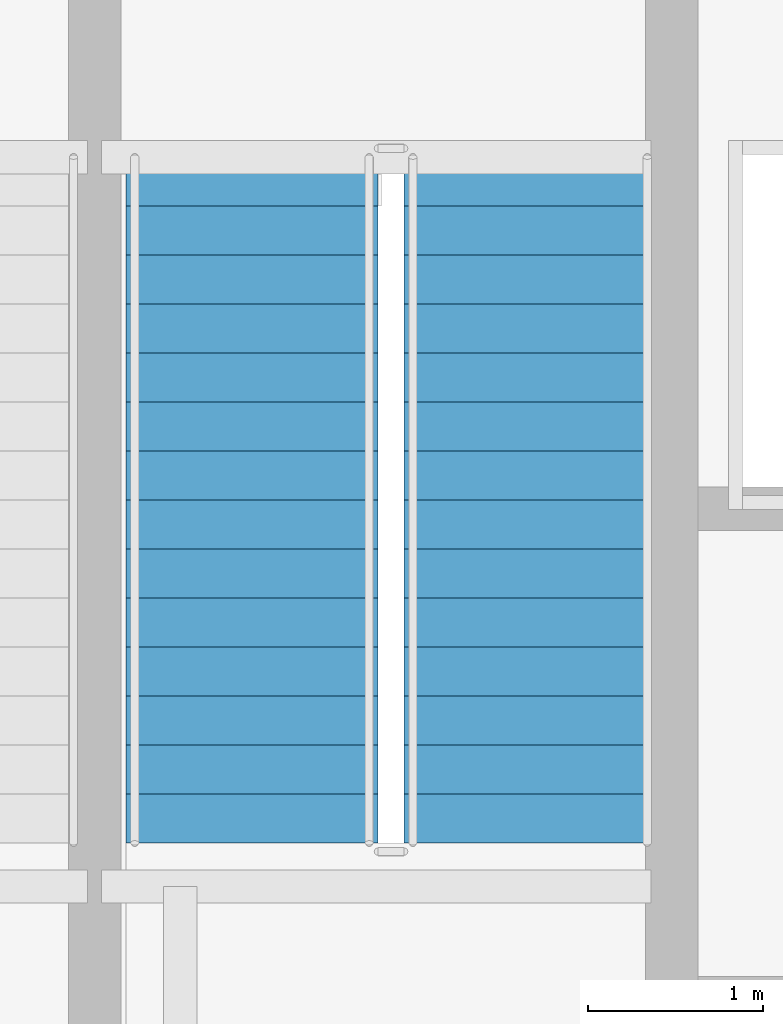
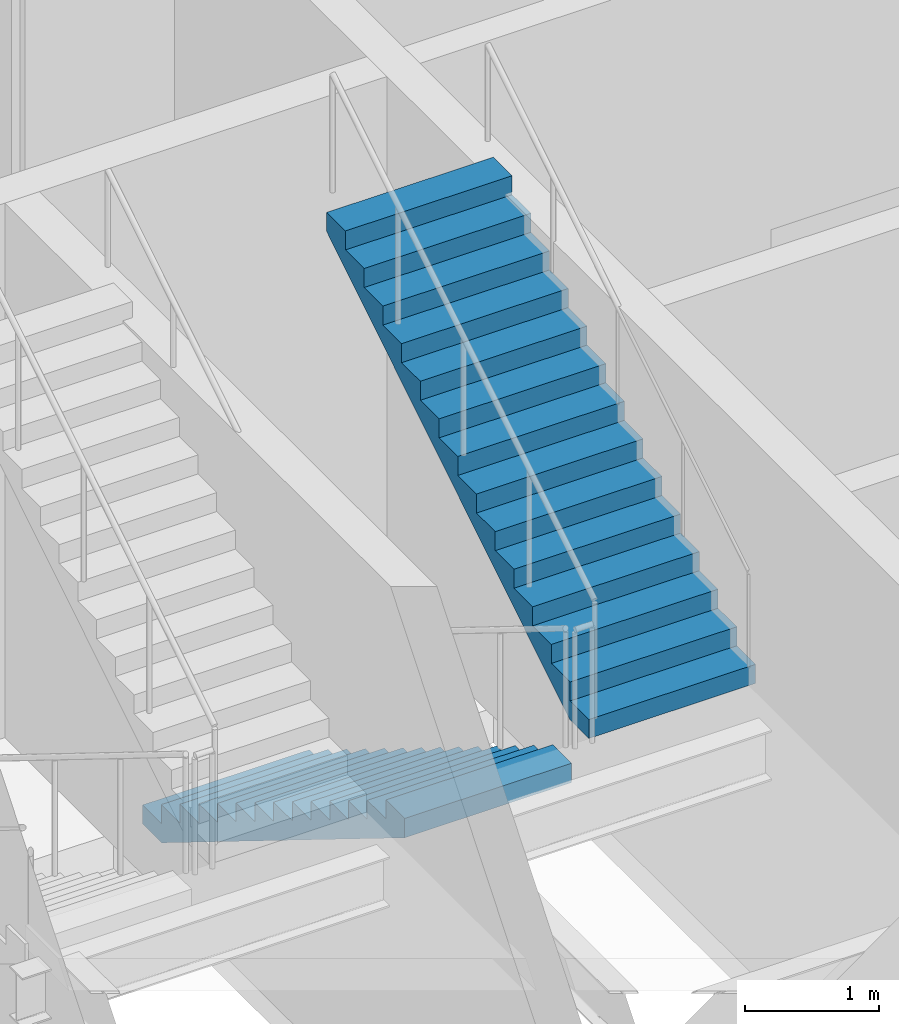
# One storey, part 25 of 33: 2 stair flights, 1 element without a shape of its own.
"""IFC4 building model written with IfcOpenShell, lengths in metres."""

from ifc_helpers import new_model, si_unit, direction, frame, origin, place, context, subcontext, project, spatial, polyline, outline, extrude, material, layer, layer_set, type_object, element, aggregate, save


model = new_model("IFC4")

# Units and contexts
model_context = context("Model", 3, precision=1e-05, world=origin(), true_north=direction((0.0, 1.0)))
body_context = subcontext(model_context, "Body", "Model", "MODEL_VIEW")
ifc_project = project(units=[si_unit("LENGTHUNIT", "METRE"), si_unit("AREAUNIT", "SQUARE_METRE"), si_unit("VOLUMEUNIT", "CUBIC_METRE"), si_unit("PLANEANGLEUNIT", "RADIAN"), si_unit("MASSUNIT", "GRAM", prefix="KILO")], contexts=[model_context])

# Site, building, storey
site_placement = place(None, origin())
site = spatial("IfcSite", under=ifc_project, at=site_placement, CompositionType="ELEMENT")
building_placement = place(site_placement, origin())
building = spatial("IfcBuilding", under=site, at=building_placement, Name="Solvaryn Broadcast Tower", CompositionType="ELEMENT")
storey_placement = place(building_placement, frame((0.0, 0.0, 5.800048828125)))
storey = spatial("IfcBuildingStorey", under=building, at=storey_placement, Name="L01", CompositionType="ELEMENT", Elevation=5.800048828125)

# Stair, stair flights
ifc_material_1 = material(Name="Concrete f'c 60 MPa", Category="concrete")
stair_type = type_object("IfcStairType", Name="ST-CORE", PredefinedType="HALF_TURN_STAIR", material=ifc_material_1)
stair_placement = place(storey_placement, origin())
stair = element("IfcStair", 1, at=stair_placement, inside=storey, type_object=stair_type, Name="L01 ST2", PredefinedType="HALF_TURN_STAIR")
ifc_material_2 = material(Name="Concrete f'c 60 MPa", Category="concrete")
ifc_layer = layer(ifc_material_2, 0.159912109375)
ifc_layer_set = layer_set([ifc_layer], Name="SF-CORE")
stair_flight_type = type_object("IfcStairFlightType", Name="SF-CORE", PredefinedType="STRAIGHT", material=ifc_layer_set)
stair_flight_1_placement = place(storey_placement, frame((15.52001953125, 35.9599609375, 0.0), z_axis=(0.0, 0.0, 1.0), x_axis=(0.0, -1.0, 0.0)))
stair_flight_1 = element("IfcStairFlight", 2, at=stair_flight_1_placement, type_object=stair_flight_type, Name="ST2 flight 1", NumberOfRisers=15, NumberOfTreads=14, PredefinedType="STRAIGHT", RiserHeight=0.173333333, TreadLength=0.28, context=body_context, shape_type="SweptSolid", body=[
    extrude(outline(polyline([(0.0, 0.0), (0.0, 0.17333984375), (0.280029296875, 0.17333984375), (0.280029296875, 0.3466796875), (0.56005859375, 0.3466796875), (0.56005859375, 0.52001953125), (0.840087890625, 0.52001953125), (0.840087890625, 0.693359375), (1.1201171875, 0.693359375), (1.1201171875, 0.86669921875), (1.39990234375, 0.86669921875), (1.39990234375, 1.0400390625), (1.679931640625, 1.0400390625), (1.679931640625, 1.21337890625), (1.9599609375, 1.21337890625), (1.9599609375, 1.38671875), (2.239990234375, 1.38671875), (2.239990234375, 1.56005859375), (2.52001953125, 1.56005859375), (2.52001953125, 1.7333984375), (2.800048828125, 1.7333984375), (2.800048828125, 1.90673828125), (3.080078125, 1.90673828125), (3.080078125, 2.080078125), (3.360107421875, 2.080078125), (3.360107421875, 2.25341796875), (3.639892578125, 2.25341796875), (3.639892578125, 2.4267578125), (3.919921875, 2.4267578125), (3.919921875, 2.60009765625), (3.919921875, 2.250244140625), (0.284912109375, 0.0), (0.0, 0.0)])), frame((0.0, 0.719970703125, 0.0), z_axis=(0.0, -1.0, 0.0), x_axis=(1.0, 0.0, 0.0)), (0.0, 0.0, 1.0), 1.43994140625),
])
stair_flight_2_placement = place(storey_placement, frame((17.110107421875, 32.0400390625, 2.599853515625), z_axis=(0.0, 0.0, 1.0), x_axis=(0.0, 1.0, 0.0)))
stair_flight_2 = element("IfcStairFlight", 3, at=stair_flight_2_placement, type_object=stair_flight_type, Name="ST2 flight 2", NumberOfRisers=15, NumberOfTreads=14, PredefinedType="STRAIGHT", RiserHeight=0.173333333, TreadLength=0.28, context=body_context, shape_type="SweptSolid", body=[
    extrude(outline(polyline([(0.0, 0.0), (0.0, 0.17333984375), (0.280029296875, 0.17333984375), (0.280029296875, 0.3466796875), (0.56005859375, 0.3466796875), (0.56005859375, 0.52001953125), (0.840087890625, 0.52001953125), (0.840087890625, 0.693359375), (1.1201171875, 0.693359375), (1.1201171875, 0.86669921875), (1.39990234375, 0.86669921875), (1.39990234375, 1.0400390625), (1.679931640625, 1.0400390625), (1.679931640625, 1.21337890625), (1.9599609375, 1.21337890625), (1.9599609375, 1.38671875), (2.239990234375, 1.38671875), (2.239990234375, 1.56005859375), (2.52001953125, 1.56005859375), (2.52001953125, 1.7333984375), (2.800048828125, 1.7333984375), (2.800048828125, 1.90673828125), (3.080078125, 1.90673828125), (3.080078125, 2.080078125), (3.360107421875, 2.080078125), (3.360107421875, 2.25341796875), (3.639892578125, 2.25341796875), (3.639892578125, 2.4267578125), (3.919921875, 2.4267578125), (3.919921875, 2.60009765625), (3.919921875, 2.250244140625), (0.284912109375, 0.0), (0.0, 0.0)])), frame((0.0, 0.719970703125, 0.0), z_axis=(0.0, -1.0, 0.0), x_axis=(1.0, 0.0, 0.0)), (0.0, 0.0, 1.0), 1.43994140625),
])
aggregate(stair, [stair_flight_1, stair_flight_2])

save(model, "model.ifc")
